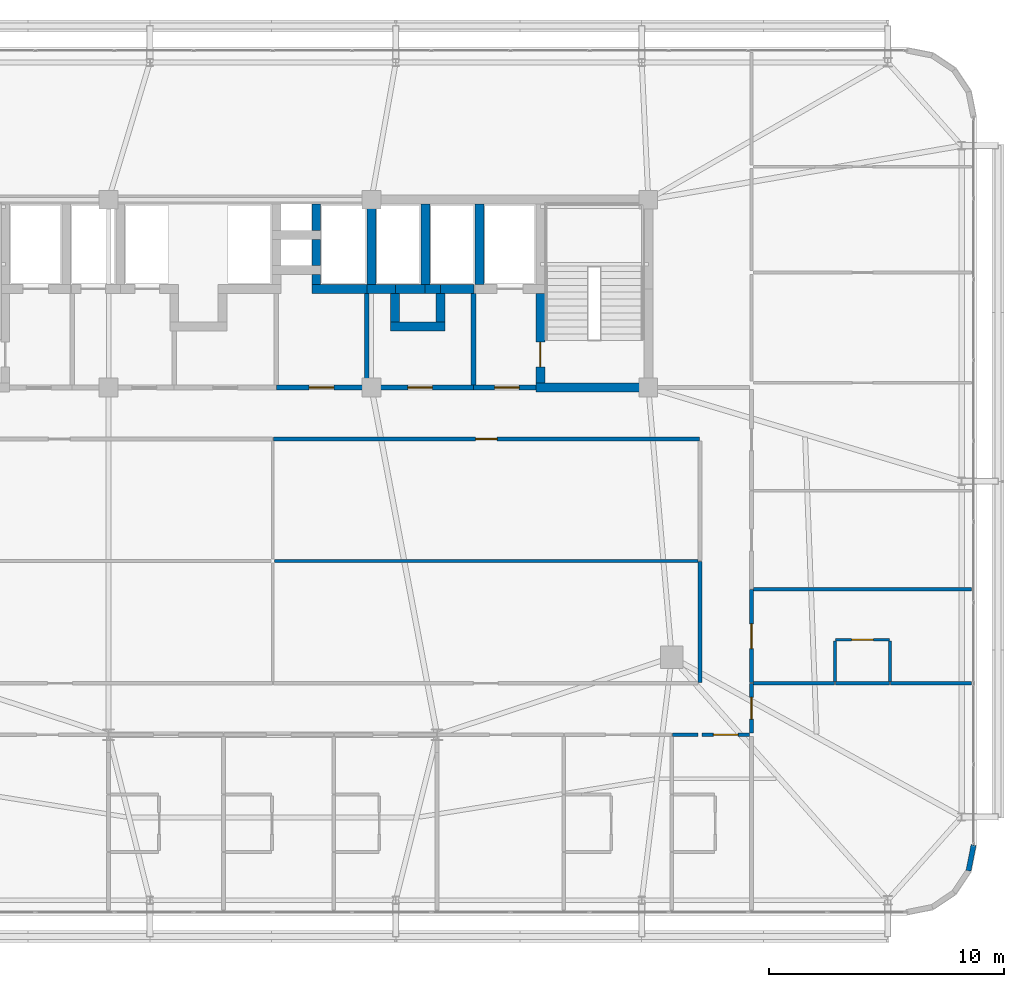
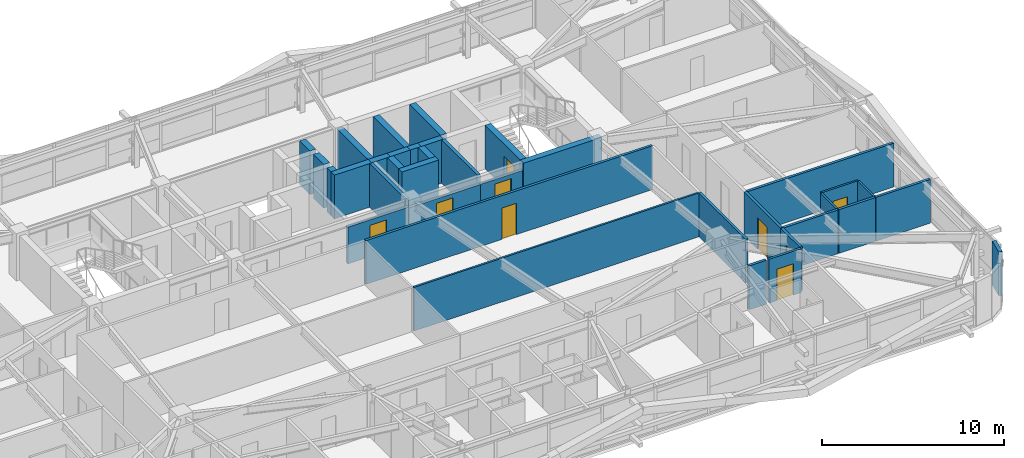
# One storey, part 55 of 59: 36 walls, 9 doors, 9 openings.
"""IFC4 building model written with IfcOpenShell, lengths in metres."""

import ifcopenshell
import ifcopenshell.guid

model = None  # the IFC model being written
_history = None  # IfcOwnerHistory: only IFC2X3 demands one
_inside = {}  # id of a spatial element -> (the spatial element, [elements in it])
_under = {}  # id of a project, library or spatial element -> (it, [spatial elements below it])
_declared = {}  # id of a project -> (the project, [libraries it declares])
_typed = {}  # id of a type object -> (the type object, [elements of that type])
_made_of = {}  # id of a material, layer set ... -> (it, [elements and type objects made of it])


def new_model(schema):
    """Start an empty IFC model of exactly this schema.

    Asked for "IFC4X3", IfcOpenShell would pick the latest addendum, in which some entities
    have other attributes; the version numbers below select the first issue.
    IFC2X3 requires an IfcOwnerHistory on every rooted entity: one is made here for all.
    """
    global model, _history
    if schema == "IFC4X3":
        model = ifcopenshell.file(schema_version=(4, 3, 0, 0))
    else:
        model = ifcopenshell.file(schema=schema)
    _inside.clear()
    _under.clear()
    _declared.clear()
    _typed.clear()
    _made_of.clear()
    _history = None
    if model.schema == "IFC2X3":
        org = make("IfcOrganization", Name="unknown")
        user = make(
            "IfcPersonAndOrganization",
            ThePerson=make("IfcPerson", FamilyName="unknown"),
            TheOrganization=org,
        )
        app = make(
            "IfcApplication",
            ApplicationDeveloper=org,
            Version="unknown",
            ApplicationFullName="unknown",
            ApplicationIdentifier="unknown",
        )
        _history = make(
            "IfcOwnerHistory",
            OwningUser=user,
            OwningApplication=app,
            ChangeAction="ADDED",
            CreationDate=0,
        )
    return model


def make(cls, **values):
    """One entity of the class cls with the attributes given. An attribute that is None is left unset."""
    return model.create_entity(
        cls, **{name: value for name, value in values.items() if value is not None}
    )


def rooted(cls, **values):
    """An entity with a GlobalId (a new one), such as an element, a storey or a relation."""
    return make(cls, GlobalId=ifcopenshell.guid.new(), OwnerHistory=_history, **values)


def si_unit(unit_type, name, prefix=None):
    """IfcSIUnit, for example si_unit("LENGTHUNIT", "METRE", prefix="MILLI")."""
    return make("IfcSIUnit", UnitType=unit_type, Prefix=prefix, Name=name)


def assignment(units):
    """IfcUnitAssignment: the units of a project."""
    return None if units is None else make("IfcUnitAssignment", Units=units)


def point(xyz):
    """IfcCartesianPoint."""
    return None if xyz is None else make("IfcCartesianPoint", Coordinates=xyz)


def direction(xyz):
    """IfcDirection."""
    return None if xyz is None else make("IfcDirection", DirectionRatios=xyz)


def frame(location, z_axis=None, x_axis=None):
    """IfcAxis2Placement3D, a coordinate frame: its origin and axes. An axis left out is left unset."""
    return make(
        "IfcAxis2Placement3D",
        Location=point(location),
        Axis=direction(z_axis),
        RefDirection=direction(x_axis),
    )


def frame_2d(location, x_axis=None):
    """IfcAxis2Placement2D, a coordinate frame in the plane: its origin and x axis."""
    return make(
        "IfcAxis2Placement2D", Location=point(location), RefDirection=direction(x_axis)
    )


def origin():
    """The frame at (0, 0, 0) with its axes left unset."""
    return frame((0.0, 0.0, 0.0))


def place(relative_to, where):
    """IfcLocalPlacement: puts the frame where relative to a parent placement (None: the world)."""
    return make(
        "IfcLocalPlacement", PlacementRelTo=relative_to, RelativePlacement=where
    )


def context(
    kind, dimensions, precision=None, world=None, true_north=None, identifier=None
):
    """IfcGeometricRepresentationContext, for example the 3D "Model" context."""
    return make(
        "IfcGeometricRepresentationContext",
        ContextIdentifier=identifier,
        ContextType=kind,
        CoordinateSpaceDimension=dimensions,
        Precision=precision,
        WorldCoordinateSystem=world,
        TrueNorth=true_north,
    )


def subcontext(parent, identifier, kind, view, scale=None):
    """IfcGeometricRepresentationSubContext, for example "Body" below "Model"."""
    return make(
        "IfcGeometricRepresentationSubContext",
        ContextIdentifier=identifier,
        ContextType=kind,
        ParentContext=parent,
        TargetScale=scale,
        TargetView=view,
    )


def project(units=None, contexts=None):
    """IfcProject with its units and contexts."""
    return rooted(
        "IfcProject",
        Name="project",
        RepresentationContexts=contexts,
        UnitsInContext=assignment(units),
    )


def spatial(cls, under=None, at=None, **own):
    """A site, building, storey or space (cls), placed at a placement, below another one or the project."""
    s = rooted(cls, ObjectPlacement=at, **own)
    if under is not None:
        _under.setdefault(under.id(), (under, []))[1].append(s)
    return s


def profile(cls, at=None, kind="AREA", **sizes):
    """A parametric profile (cls). Its sizes go by their IFC names, for example OverallWidth=200.0."""
    return make(cls, ProfileType=kind, Position=at, **sizes)


def rectangle(**sizes):
    """IfcRectangleProfileDef."""
    return profile("IfcRectangleProfileDef", **sizes)


def extrude(swept, where, along, depth):
    """IfcExtrudedAreaSolid: the profile swept, set in the frame where, extruded along a direction by depth."""
    return make(
        "IfcExtrudedAreaSolid",
        SweptArea=swept,
        Position=where,
        ExtrudedDirection=direction(along),
        Depth=depth,
    )


def shape(context_of_items, identifier, shape_type, items):
    """IfcShapeRepresentation: the items that make up one representation, for example the "Body"."""
    return make(
        "IfcShapeRepresentation",
        ContextOfItems=context_of_items,
        RepresentationIdentifier=identifier,
        RepresentationType=shape_type,
        Items=items,
    )


def source(mapping_origin, context_of_items, identifier, shape_type, items):
    """IfcRepresentationMap: a shape defined once, which mapped items show again and again."""
    return make(
        "IfcRepresentationMap",
        MappingOrigin=mapping_origin,
        MappedRepresentation=shape(context_of_items, identifier, shape_type, items),
    )


def transform(
    local_origin,
    x_axis=None,
    y_axis=None,
    z_axis=None,
    scale=None,
    scale2=None,
    scale3=None,
    uniform=True,
):
    """IfcCartesianTransformationOperator3D, or its non-uniform kind. x_axis, y_axis, z_axis: its Axis1, 2, 3."""
    if uniform:
        return make(
            "IfcCartesianTransformationOperator3D",
            Axis1=direction(x_axis),
            Axis2=direction(y_axis),
            LocalOrigin=point(local_origin),
            Scale=scale,
            Axis3=direction(z_axis),
        )
    return make(
        "IfcCartesianTransformationOperator3DnonUniform",
        Axis1=direction(x_axis),
        Axis2=direction(y_axis),
        LocalOrigin=point(local_origin),
        Scale=scale,
        Axis3=direction(z_axis),
        Scale2=scale2,
        Scale3=scale3,
    )


def mapped(mapping_source, mapping_target):
    """IfcMappedItem: shows the shape of a source again, moved by a transform."""
    return make(
        "IfcMappedItem", MappingSource=mapping_source, MappingTarget=mapping_target
    )


def material(Name=None, Category=None):
    """IfcMaterial."""
    return make("IfcMaterial", Name=Name, Category=Category)


def layer(
    of_material, thickness, ventilated=None, Name=None, Category=None, Priority=None
):
    """IfcMaterialLayer: one layer of a wall or slab, of a material (None: an air gap)."""
    return make(
        "IfcMaterialLayer",
        Material=of_material,
        LayerThickness=thickness,
        IsVentilated=ventilated,
        Name=Name,
        Category=Category,
        Priority=Priority,
    )


def layer_set(layers, Name=None):
    """IfcMaterialLayerSet."""
    return make("IfcMaterialLayerSet", MaterialLayers=layers, LayerSetName=Name)


def made_of(thing, what):
    """Note that an element or type object is made of a material, layer set ...; save() writes the relation."""
    if what is not None:
        _made_of.setdefault(what.id(), (what, []))[1].append(thing)
    return thing


def type_object(cls, material=None, **own):
    """A type object (cls), such as IfcWallType, which elements share."""
    return made_of(rooted(cls, **own), material)


def element(
    cls,
    number,
    at=None,
    inside=None,
    cuts=None,
    type_object=None,
    material=None,
    context=None,
    identifier="Body",
    shape_type=None,
    held_by="IfcProductDefinitionShape",
    body=None,
    shapes=None,
    **own,
):
    """One element of the class cls, such as IfcWall. Its Tag is "e" and its number.

    at: its placement. inside: the storey or other place that contains it. cuts: it is an
    opening in that element (IfcRelVoidsElement). A single representation is given by context,
    identifier, shape_type and body (its items); several are given by shapes. held_by: the class
    of the entity that holds the representations. save() writes the other relations.
    """
    e = rooted(cls, Tag="e%d" % number, ObjectPlacement=at, **own)
    if body is not None:
        shapes = [shape(context, identifier, shape_type, body)]
    if shapes is not None:
        e.Representation = make(held_by, Representations=shapes)
    if inside is not None:
        _inside.setdefault(inside.id(), (inside, []))[1].append(e)
    if cuts is not None:
        rooted(
            "IfcRelVoidsElement", RelatingBuildingElement=cuts, RelatedOpeningElement=e
        )
    if type_object is not None:
        _typed.setdefault(type_object.id(), (type_object, []))[1].append(e)
    return made_of(e, material)


def fill(opening, filler):
    """IfcRelFillsElement: the door or window that sits in an opening."""
    return rooted(
        "IfcRelFillsElement",
        RelatingOpeningElement=opening,
        RelatedBuildingElement=filler,
    )


def aggregate(whole, parts):
    """IfcRelAggregates: a whole, such as a stair, and the parts it consists of."""
    return rooted("IfcRelAggregates", RelatingObject=whole, RelatedObjects=parts)


def save(model, path):
    """Write the relations noted so far, then the file.

    IfcRelAggregates (storeys below a building ...), IfcRelContainedInSpatialStructure (elements
    in a storey), IfcRelDefinesByType, IfcRelAssociatesMaterial and IfcRelDeclares: one each for
    every whole, place, type object, material and project.
    """
    for whole, parts in _under.values():
        aggregate(whole, parts)
    for where, things in _inside.values():
        rooted(
            "IfcRelContainedInSpatialStructure",
            RelatedElements=things,
            RelatingStructure=where,
        )
    for kind, things in _typed.values():
        rooted("IfcRelDefinesByType", RelatedObjects=things, RelatingType=kind)
    for what, things in _made_of.values():
        rooted("IfcRelAssociatesMaterial", RelatedObjects=things, RelatingMaterial=what)
    for by, libraries in _declared.values():
        rooted("IfcRelDeclares", RelatingContext=by, RelatedDefinitions=libraries)
    model.write(path)


model = new_model("IFC4")

# Units and contexts
model_context = context("Model", 3, precision=1e-05, world=origin(), true_north=direction((0.0, 1.0)))
body_context = subcontext(model_context, "Body", "Model", "MODEL_VIEW")
ifc_project = project(units=[si_unit("LENGTHUNIT", "METRE"), si_unit("AREAUNIT", "SQUARE_METRE"), si_unit("VOLUMEUNIT", "CUBIC_METRE"), si_unit("PLANEANGLEUNIT", "RADIAN"), si_unit("MASSUNIT", "GRAM", prefix="KILO")], contexts=[model_context])

# Site, building, storey
site_placement = place(None, origin())
site = spatial("IfcSite", under=ifc_project, at=site_placement, CompositionType="ELEMENT")
building_placement = place(site_placement, origin())
building = spatial("IfcBuilding", under=site, at=building_placement, Name="Taldren Reach Tower", CompositionType="ELEMENT")
storey_placement = place(building_placement, frame((0.0, 0.0, 23.10009765625)))
storey = spatial("IfcBuildingStorey", under=building, at=storey_placement, Name="L06", CompositionType="ELEMENT", Elevation=23.10009765625)

# Walls
ifc_material_1 = material(Name="Pale Champagne Anodised Aluminium Cladding", Category="aluminium")
ifc_layer_1 = layer(ifc_material_1, 0.04, Name="Pale Champagne Anodised Aluminium Cladding", Category="aluminium")
ifc_material_2 = material(Name="Mineral Wool Acoustic Insulation", Category="insulation")
ifc_layer_2 = layer(ifc_material_2, 0.06, Name="Mineral Wool Acoustic Insulation", Category="insulation")
ifc_material_3 = material(Name="Steel Gr 350 (C350L0)", Category="steel")
ifc_layer_3 = layer(ifc_material_3, 0.12, Name="Steel Gr 350 (C350L0)", Category="steel")
ifc_layer_set_1 = layer_set([ifc_layer_1, ifc_layer_2, ifc_layer_3], Name="Pale Champagne Aluminium Cladding and Steel Gr 350 Stud Framing")
wall_type_1 = type_object("IfcWallType", Name="EW-CRN-220", PredefinedType="SOLIDWALL", material=ifc_layer_set_1)
shared_shape_1 = source(origin(), body_context, "Body", "SweptSolid", [
    extrude(rectangle(XDim=1.115966796875, YDim=0.219970703125, at=frame_2d((0.55810546875, 0.0))), origin(), (0.0, 0.0, 1.0), 2.929931640625),
])
wall_1_placement = place(storey_placement, frame((64.642333984375, 3.405517578125, 0.0), z_axis=(0.0, 0.0, 1.0), x_axis=(0.195148375659, 0.98077373103, 0.0)))
element("IfcWall", 1, at=wall_1_placement, inside=storey, type_object=wall_type_1, Name="Rounded-corner pale-metal facade wall L06-SE4", PredefinedType="SOLIDWALL", context=body_context, shape_type="MappedRepresentation", body=[
    mapped(shared_shape_1, transform((0.0, 0.0, 0.0), scale=1.0)),
])
ifc_material_4 = material(Name="Concrete S80 (80 MPa)", Category="concrete")
ifc_layer_4 = layer(ifc_material_4, 0.3798828125)
ifc_layer_set_2 = layer_set([ifc_layer_4], Name="Concrete S80 (80 MPa)")
wall_type_2 = type_object("IfcWallType", Name="IW-CORE-380", PredefinedType="SHEAR", material=ifc_layer_set_2)
shared_shape_2 = source(origin(), body_context, "Body", "SweptSolid", [
    extrude(rectangle(XDim=3.420166015625, YDim=0.3798828125, at=frame_2d((1.7099609375, 0.0))), origin(), (0.0, 0.0, 1.0), 2.929931640625),
])
for number, where, z_axis, x_axis, name in (
    (2, (43.800048828125, 31.81005859375, 0.0), (0.0, 0.0, 1.0), (0.0, -1.0, 0.0), "Rear Core Shear Wall W-INT-L06-012"),
    (3, (39.199951171875, 28.389892578125, 0.0), (0.0, 0.0, 1.0), (0.0, 1.0, 0.0), "Rear Core Shear Wall W-INT-L06-036"),
    (4, (41.5, 28.389892578125, 0.0), (0.0, 0.0, 1.0), (0.0, 1.0, 0.0), "Rear Core Shear Wall W-INT-L06-039"),
):
    element("IfcWall", number, at=place(storey_placement, frame(where, z_axis=z_axis, x_axis=x_axis)), inside=storey, type_object=wall_type_2, Name=name, PredefinedType="SHEAR", context=body_context, shape_type="MappedRepresentation", body=[
        mapped(shared_shape_2, transform((0.0, 0.0, 0.0), scale=1.0)),
    ])

# Wall, opening, door
shared_shape_3 = source(origin(), body_context, "Body", "SweptSolid", [
    extrude(rectangle(XDim=3.820068359375, YDim=0.3798828125, at=frame_2d((1.91015625, 0.0))), origin(), (0.0, 0.0, 1.0), 2.929931640625),
])
wall_2_placement = place(storey_placement, frame((46.39990234375, 28.010009765625, 0.0), z_axis=(0.0, 0.0, 1.0), x_axis=(0.0, -1.0, 0.0)))
wall_2 = element("IfcWall", 5, at=wall_2_placement, inside=storey, type_object=wall_type_2, Name="Rear Core Shear Wall W-INT-L06-009", PredefinedType="SHEAR", context=body_context, shape_type="MappedRepresentation", body=[
    mapped(shared_shape_3, transform((0.0, 0.0, 0.0), scale=1.0)),
])
shared_shape_4 = source(origin(), body_context, "Body", "SweptSolid", [
    extrude(rectangle(XDim=1.050048828125, YDim=2.10009765625, at=frame_2d((0.52490234375, 1.050048828125))), frame((0.0, 0.199951171875, 0.0), z_axis=(0.0, -1.0, 0.0), x_axis=(1.0, 0.0, 0.0)), (0.0, 0.0, 1.0), 0.39990234375),
])
opening_1_placement = place(wall_2_placement, frame((2.0849609375, 0.0, 0.0)))
opening_1 = element("IfcOpeningElement", 6, at=opening_1_placement, cuts=wall_2, Name="Opening DF-105", PredefinedType="OPENING", context=body_context, shape_type="MappedRepresentation", body=[
    mapped(shared_shape_4, transform((0.0, 0.0, 0.0), scale=1.0)),
])
ifc_material_5 = material(Name="Fire-Rated Care and Stair Exit Door")
door_type_1 = type_object("IfcDoorType", Name="ID-FIRE-105", OperationType="NOTDEFINED", PredefinedType="DOOR", material=ifc_material_5)
shared_shape_5 = source(origin(), body_context, "Body", "SweptSolid", [
    extrude(rectangle(XDim=1.050048828125, YDim=2.10009765625, at=frame_2d((0.52490234375, 1.050048828125))), frame((0.0, 0.02490234375, 0.0), z_axis=(0.0, -1.0, 0.0), x_axis=(1.0, 0.0, 0.0)), (0.0, 0.0, 1.0), 0.050048828125),
])
door_1_placement = place(opening_1_placement, origin())
door_1 = element("IfcDoor", 7, at=door_1_placement, inside=storey, type_object=door_type_1, Name="Fire Exit Stair Door DR-L06-003", OperationType="SINGLE_SWING_RIGHT", OverallHeight=2.10009765625, OverallWidth=1.050048828125, PredefinedType="DOOR", context=body_context, shape_type="MappedRepresentation", body=[
    mapped(shared_shape_5, transform((0.0, 0.0, 0.0), scale=1.0)),
])
fill(opening_1, door_1)

# Walls
shared_shape_6 = source(origin(), body_context, "Body", "SweptSolid", [
    extrude(rectangle(XDim=4.97998046875, YDim=0.3798828125, at=frame_2d((2.489990234375, 0.0))), origin(), (0.0, 0.0, 1.0), 2.929931640625),
])
wall_3_placement = place(storey_placement, frame((46.2099609375, 24.0, 0.0), z_axis=(0.0, 0.0, 1.0), x_axis=(1.0, 0.0, 0.0)))
element("IfcWall", 8, at=wall_3_placement, inside=storey, type_object=wall_type_2, Name="Rear Core Shear Wall W-INT-L06-010", PredefinedType="SHEAR", context=body_context, shape_type="MappedRepresentation", body=[
    mapped(shared_shape_6, transform((0.0, 0.0, 0.0), scale=1.0)),
])
ifc_material_6 = material(Name="Concrete S50 (50 MPa)", Category="concrete")
ifc_layer_5 = layer(ifc_material_6, 0.199951171875)
ifc_layer_set_3 = layer_set([ifc_layer_5], Name="Concrete S50 (50 MPa)")
wall_type_3 = type_object("IfcWallType", Name="IW-CORE-200", PredefinedType="SOLIDWALL", material=ifc_layer_set_3)
shared_shape_7 = source(origin(), body_context, "Body", "SweptSolid", [
    extrude(rectangle(XDim=3.909912109375, YDim=0.199951171875, at=frame_2d((1.955078125, 0.0))), origin(), (0.0, 0.0, 1.0), 2.929931640625),
])
for number, where, z_axis, x_axis, name in (
    (9, (43.550048828125, 28.010009765625, 0.0), (0.0, 0.0, 1.0), (0.0, -1.0, 0.0), "Rear Core Shear Wall W-INT-L06-013"),
    (10, (39.0, 28.010009765625, 0.0), (0.0, 0.0, 1.0), (0.0, -1.0, 0.0), "Rear Core Shear Wall W-INT-L06-044"),
):
    element("IfcWall", number, at=place(storey_placement, frame(where, z_axis=z_axis, x_axis=x_axis)), inside=storey, type_object=wall_type_3, Name=name, PredefinedType="SOLIDWALL", context=body_context, shape_type="MappedRepresentation", body=[
        mapped(shared_shape_7, transform((0.0, 0.0, 0.0), scale=1.0)),
    ])

# Wall, opening, door
shared_shape_8 = source(origin(), body_context, "Body", "SweptSolid", [
    extrude(rectangle(XDim=2.659912109375, YDim=0.199951171875, at=frame_2d((1.330078125, 0.0))), origin(), (0.0, 0.0, 1.0), 2.39697265625),
])
wall_4_placement = place(storey_placement, frame((43.550048828125, 24.0, 0.0), z_axis=(0.0, 0.0, 1.0), x_axis=(1.0, 0.0, 0.0)))
wall_4 = element("IfcWall", 11, at=wall_4_placement, inside=storey, type_object=wall_type_3, Name="Rear Core Shear Wall W-INT-L06-014", PredefinedType="SOLIDWALL", context=body_context, shape_type="MappedRepresentation", body=[
    mapped(shared_shape_8, transform((0.0, 0.0, 0.0), scale=1.0)),
])
shared_shape_9 = source(origin(), body_context, "Body", "SweptSolid", [
    extrude(rectangle(XDim=1.050048828125, YDim=2.10009765625, at=frame_2d((0.52490234375, 1.050048828125))), frame((0.0, 0.10986328125, 0.0), z_axis=(0.0, -1.0, 0.0), x_axis=(1.0, 0.0, 0.0)), (0.0, 0.0, 1.0), 0.219970703125),
])
opening_2_placement = place(wall_4_placement, frame((0.89990234375, 0.0, 0.0)))
opening_2 = element("IfcOpeningElement", 12, at=opening_2_placement, cuts=wall_4, Name="Opening DF-105", PredefinedType="OPENING", context=body_context, shape_type="MappedRepresentation", body=[
    mapped(shared_shape_9, transform((0.0, 0.0, 0.0), scale=1.0)),
])
door_2_placement = place(opening_2_placement, origin())
door_2 = element("IfcDoor", 13, at=door_2_placement, inside=storey, type_object=door_type_1, Name="Interior Door DR-L06-004", OperationType="SINGLE_SWING_LEFT", OverallHeight=2.10009765625, OverallWidth=1.050048828125, PredefinedType="DOOR", context=body_context, shape_type="MappedRepresentation", body=[
    mapped(shared_shape_5, transform((0.0, 0.0, 0.0), scale=1.0)),
])
fill(opening_2, door_2)

# Walls
shared_shape_10 = source(origin(), body_context, "Body", "SweptSolid", [
    extrude(rectangle(XDim=1.1201171875, YDim=0.3798828125, at=frame_2d((0.56005859375, 0.0))), origin(), (0.0, 0.0, 1.0), 2.929931640625),
])
for number, where, z_axis, x_axis, name in (
    (14, (36.85009765625, 30.68994140625, 0.0), (0.0, 0.0, 1.0), (0.0, 1.0, 0.0), "Rear Core Shear Wall W-INT-L06-017"),
    (15, (36.85009765625, 29.18994140625, 0.0), (0.0, 0.0, 1.0), (0.0, 1.0, 0.0), "Rear Core Shear Wall W-INT-L06-019"),
):
    element("IfcWall", number, at=place(storey_placement, frame(where, z_axis=z_axis, x_axis=x_axis)), inside=storey, type_object=wall_type_2, Name=name, PredefinedType="SHEAR", context=body_context, shape_type="MappedRepresentation", body=[
        mapped(shared_shape_10, transform((0.0, 0.0, 0.0), scale=1.0)),
    ])
shared_shape_11 = source(origin(), body_context, "Body", "SweptSolid", [
    extrude(rectangle(XDim=1.219970703125, YDim=0.3798828125, at=frame_2d((0.60986328125, 0.0))), origin(), (0.0, 0.0, 1.0), 2.929931640625),
])
for number, where, z_axis, x_axis, name in (
    (16, (40.199951171875, 28.010009765625, 0.0), (0.0, 0.0, 1.0), (0.0, -1.0, 0.0), "Rear Core Shear Wall W-INT-L06-027"),
    (17, (42.14990234375, 26.7900390625, 0.0), (0.0, 0.0, 1.0), (0.0, 1.0, 0.0), "Rear Core Shear Wall W-INT-L06-028"),
):
    element("IfcWall", number, at=place(storey_placement, frame(where, z_axis=z_axis, x_axis=x_axis)), inside=storey, type_object=wall_type_2, Name=name, PredefinedType="SHEAR", context=body_context, shape_type="MappedRepresentation", body=[
        mapped(shared_shape_11, transform((0.0, 0.0, 0.0), scale=1.0)),
    ])
shared_shape_12 = source(origin(), body_context, "Body", "SweptSolid", [
    extrude(rectangle(XDim=1.320068359375, YDim=0.3798828125, at=frame_2d((0.66015625, 0.0))), origin(), (0.0, 0.0, 1.0), 2.929931640625),
])
wall_5_placement = place(storey_placement, frame((41.52001953125, 28.199951171875, 0.0), z_axis=(0.0, 0.0, 1.0), x_axis=(-1.0, 0.0, 0.0)))
element("IfcWall", 18, at=wall_5_placement, inside=storey, type_object=wall_type_2, Name="Rear Core Shear Wall W-INT-L06-024", PredefinedType="SHEAR", context=body_context, shape_type="MappedRepresentation", body=[
    mapped(shared_shape_12, transform((0.0, 0.0, 0.0), scale=1.0)),
])
shared_shape_13 = source(origin(), body_context, "Body", "SweptSolid", [
    extrude(rectangle(XDim=0.669921875, YDim=0.3798828125, at=frame_2d((0.3349609375, 0.0))), origin(), (0.0, 0.0, 1.0), 2.929931640625),
])
wall_6_placement = place(storey_placement, frame((42.14990234375, 28.199951171875, 0.0), z_axis=(0.0, 0.0, 1.0), x_axis=(-1.0, 0.0, 0.0)))
element("IfcWall", 19, at=wall_6_placement, inside=storey, type_object=wall_type_2, Name="Rear Core Shear Wall W-INT-L06-025", PredefinedType="SHEAR", context=body_context, shape_type="MappedRepresentation", body=[
    mapped(shared_shape_13, transform((0.0, 0.0, 0.0), scale=1.0)),
])
shared_shape_14 = source(origin(), body_context, "Body", "SweptSolid", [
    extrude(rectangle(XDim=2.330078125, YDim=0.3798828125, at=frame_2d((1.1650390625, 0.0))), origin(), (0.0, 0.0, 1.0), 2.929931640625),
])
wall_7_placement = place(storey_placement, frame((40.010009765625, 26.60009765625, 0.0), z_axis=(0.0, 0.0, 1.0), x_axis=(1.0, 0.0, 0.0)))
element("IfcWall", 20, at=wall_7_placement, inside=storey, type_object=wall_type_2, Name="Rear Core Shear Wall W-INT-L06-026", PredefinedType="SHEAR", context=body_context, shape_type="MappedRepresentation", body=[
    mapped(shared_shape_14, transform((0.0, 0.0, 0.0), scale=1.0)),
])
shared_shape_15 = source(origin(), body_context, "Body", "SweptSolid", [
    extrude(rectangle(XDim=0.420166015625, YDim=0.3798828125, at=frame_2d((0.2099609375, 0.0))), origin(), (0.0, 0.0, 1.0), 2.929931640625),
])
wall_8_placement = place(storey_placement, frame((36.85009765625, 28.81005859375, 0.0), z_axis=(0.0, 0.0, 1.0), x_axis=(0.0, -1.0, 0.0)))
element("IfcWall", 21, at=wall_8_placement, inside=storey, type_object=wall_type_2, Name="Rear Core Shear Wall W-INT-L06-038", PredefinedType="SHEAR", context=body_context, shape_type="MappedRepresentation", body=[
    mapped(shared_shape_15, transform((0.0, 0.0, 0.0), scale=1.0)),
])
shared_shape_16 = source(origin(), body_context, "Body", "SweptSolid", [
    extrude(rectangle(XDim=1.440185546875, YDim=0.3798828125, at=frame_2d((0.72021484375, 0.0))), origin(), (0.0, 0.0, 1.0), 2.929931640625),
])
wall_9_placement = place(storey_placement, frame((42.1298828125, 28.199951171875, 0.0), z_axis=(0.0, 0.0, 1.0), x_axis=(1.0, 0.0, 0.0)))
element("IfcWall", 22, at=wall_9_placement, inside=storey, type_object=wall_type_2, Name="Rear Core Shear Wall W-INT-L06-041", PredefinedType="SHEAR", context=body_context, shape_type="MappedRepresentation", body=[
    mapped(shared_shape_16, transform((0.0, 0.0, 0.0), scale=1.0)),
])

# Wall, opening, door
ifc_material_7 = material(Name="Fire-Rated Acoustic Plasterboard Stud Wall", Category="gypsum")
ifc_layer_6 = layer(ifc_material_7, 0.159912109375)
ifc_layer_set_4 = layer_set([ifc_layer_6], Name="Fire-Rated Acoustic Plasterboard Stud Wall")
wall_type_4 = type_object("IfcWallType", Name="IW-FIRE-160", PredefinedType="PARTITIONING", material=ifc_layer_set_4)
shared_shape_17 = source(origin(), body_context, "Body", "SweptSolid", [
    extrude(rectangle(XDim=2.0400390625, YDim=0.159912109375, at=frame_2d((1.02001953125, 0.0))), origin(), (0.0, 0.0, 1.0), 2.929931640625),
])
wall_10_placement = place(storey_placement, frame((55.320068359375, 9.199951171875, 0.0), z_axis=(0.0, 0.0, 1.0), x_axis=(-1.0, 0.0, 0.0)))
wall_10 = element("IfcWall", 23, at=wall_10_placement, inside=storey, type_object=wall_type_4, Name="Interior Partition Wall W-INT-L06-054", PredefinedType="PARTITIONING", context=body_context, shape_type="MappedRepresentation", body=[
    mapped(shared_shape_17, transform((0.0, 0.0, 0.0), scale=1.0)),
])
shared_shape_18 = source(origin(), body_context, "Body", "SweptSolid", [
    extrude(rectangle(XDim=1.050048828125, YDim=2.10009765625, at=frame_2d((0.52490234375, 1.050048828125))), frame((0.0, 0.08984375, 0.0), z_axis=(0.0, -1.0, 0.0), x_axis=(1.0, 0.0, 0.0)), (0.0, 0.0, 1.0), 0.179931640625),
])
opening_3_placement = place(wall_10_placement, frame((0.4951171875, 0.0, 0.0)))
opening_3 = element("IfcOpeningElement", 24, at=opening_3_placement, cuts=wall_10, Name="Opening DF-105", PredefinedType="OPENING", context=body_context, shape_type="MappedRepresentation", body=[
    mapped(shared_shape_18, transform((0.0, 0.0, 0.0), scale=1.0)),
])
door_3_placement = place(opening_3_placement, origin())
door_3 = element("IfcDoor", 25, at=door_3_placement, inside=storey, type_object=door_type_1, Name="Interior Door DR-L06-012", OperationType="SINGLE_SWING_LEFT", OverallHeight=2.10009765625, OverallWidth=1.050048828125, PredefinedType="DOOR", context=body_context, shape_type="MappedRepresentation", body=[
    mapped(shared_shape_5, transform((0.0, 0.0, 0.0), scale=1.0)),
])
fill(opening_3, door_3)

# Walls
shared_shape_19 = source(origin(), body_context, "Body", "SweptSolid", [
    extrude(rectangle(XDim=2.360107421875, YDim=0.3798828125, at=frame_2d((1.18017578125, 0.0))), origin(), (0.0, 0.0, 1.0), 2.929931640625),
])
wall_11_placement = place(storey_placement, frame((36.659912109375, 28.199951171875, 0.0), z_axis=(0.0, 0.0, 1.0), x_axis=(1.0, 0.0, 0.0)))
element("IfcWall", 26, at=wall_11_placement, inside=storey, type_object=wall_type_2, Name="Rear Core Shear Wall W-INT-L06-037", PredefinedType="SHEAR", context=body_context, shape_type="MappedRepresentation", body=[
    mapped(shared_shape_19, transform((0.0, 0.0, 0.0), scale=1.0)),
])
shared_shape_20 = source(origin(), body_context, "Body", "SweptSolid", [
    extrude(rectangle(XDim=1.2099609375, YDim=0.3798828125, at=frame_2d((0.60498046875, 0.0))), origin(), (0.0, 0.0, 1.0), 2.929931640625),
])
wall_12_placement = place(storey_placement, frame((39.010009765625, 28.199951171875, 0.0), z_axis=(0.0, 0.0, 1.0), x_axis=(1.0, 0.0, 0.0)))
element("IfcWall", 27, at=wall_12_placement, inside=storey, type_object=wall_type_2, Name="Rear Core Shear Wall W-INT-L06-040", PredefinedType="SHEAR", context=body_context, shape_type="MappedRepresentation", body=[
    mapped(shared_shape_20, transform((0.0, 0.0, 0.0), scale=1.0)),
])

# Wall, opening, door
shared_shape_21 = source(origin(), body_context, "Body", "SweptSolid", [
    extrude(rectangle(XDim=3.85009765625, YDim=0.199951171875, at=frame_2d((1.925048828125, 0.0))), origin(), (0.0, 0.0, 1.0), 2.469970703125),
])
wall_13_placement = place(storey_placement, frame((39.0, 24.0, 0.0), z_axis=(0.0, 0.0, 1.0), x_axis=(-1.0, 0.0, 0.0)))
wall_13 = element("IfcWall", 28, at=wall_13_placement, inside=storey, type_object=wall_type_3, Name="Rear Core Shear Wall W-INT-L06-045", PredefinedType="SOLIDWALL", context=body_context, shape_type="MappedRepresentation", body=[
    mapped(shared_shape_21, transform((0.0, 0.0, 0.0), scale=1.0)),
])
opening_4_placement = place(wall_13_placement, frame((1.39990234375, 0.0, 0.0)))
opening_4 = element("IfcOpeningElement", 29, at=opening_4_placement, cuts=wall_13, Name="Opening DF-105", PredefinedType="OPENING", context=body_context, shape_type="MappedRepresentation", body=[
    mapped(shared_shape_9, transform((0.0, 0.0, 0.0), scale=1.0)),
])
door_4_placement = place(opening_4_placement, frame((1.050048828125, 0.0, 0.0), z_axis=(0.0, 0.0, 1.0), x_axis=(-1.0, 0.0, 0.0)))
door_4 = element("IfcDoor", 30, at=door_4_placement, inside=storey, type_object=door_type_1, Name="Interior Door DR-L06-007", OperationType="SINGLE_SWING_LEFT", OverallHeight=2.10009765625, OverallWidth=1.050048828125, PredefinedType="DOOR", context=body_context, shape_type="MappedRepresentation", body=[
    mapped(shared_shape_5, transform((0.0, 0.0, 0.0), scale=1.0)),
])
fill(opening_4, door_4)

shared_shape_22 = source(origin(), body_context, "Body", "SweptSolid", [
    extrude(rectangle(XDim=4.550048828125, YDim=0.199951171875, at=frame_2d((2.27490234375, 0.0))), origin(), (0.0, 0.0, 1.0), 2.39697265625),
])
wall_14_placement = place(storey_placement, frame((43.550048828125, 24.0, 0.0), z_axis=(0.0, 0.0, 1.0), x_axis=(-1.0, 0.0, 0.0)))
wall_14 = element("IfcWall", 31, at=wall_14_placement, inside=storey, type_object=wall_type_3, Name="Rear Core Shear Wall W-INT-L06-046", PredefinedType="SOLIDWALL", context=body_context, shape_type="MappedRepresentation", body=[
    mapped(shared_shape_22, transform((0.0, 0.0, 0.0), scale=1.0)),
])
opening_5_placement = place(wall_14_placement, frame((1.75, 0.0, 0.0)))
opening_5 = element("IfcOpeningElement", 32, at=opening_5_placement, cuts=wall_14, Name="Opening DF-105", PredefinedType="OPENING", context=body_context, shape_type="MappedRepresentation", body=[
    mapped(shared_shape_9, transform((0.0, 0.0, 0.0), scale=1.0)),
])
door_5_placement = place(opening_5_placement, frame((1.050048828125, 0.0, 0.0), z_axis=(0.0, 0.0, 1.0), x_axis=(-1.0, 0.0, 0.0)))
door_5 = element("IfcDoor", 33, at=door_5_placement, inside=storey, type_object=door_type_1, Name="Interior Door DR-L06-008", OperationType="SINGLE_SWING_RIGHT", OverallHeight=2.10009765625, OverallWidth=1.050048828125, PredefinedType="DOOR", context=body_context, shape_type="MappedRepresentation", body=[
    mapped(shared_shape_5, transform((0.0, 0.0, 0.0), scale=1.0)),
])
fill(opening_5, door_5)

# Wall
shared_shape_23 = source(origin(), body_context, "Body", "SweptSolid", [
    extrude(rectangle(XDim=5.15966796875, YDim=0.159912109375, at=frame_2d((2.579833984375, 0.0))), origin(), (0.0, 0.0, 1.0), 2.929931640625),
])
wall_15_placement = place(storey_placement, frame((53.199951171875, 11.420166015625, 0.0), z_axis=(0.0, 0.0, 1.0), x_axis=(0.0, 1.0, 0.0)))
element("IfcWall", 34, at=wall_15_placement, inside=storey, type_object=wall_type_4, Name="Interior Partition Wall W-INT-L06-050", PredefinedType="PARTITIONING", context=body_context, shape_type="MappedRepresentation", body=[
    mapped(shared_shape_23, transform((0.0, 0.0, 0.0), scale=1.0)),
])

# Wall, opening, door
shared_shape_24 = source(origin(), body_context, "Body", "SweptSolid", [
    extrude(rectangle(XDim=18.159423828125, YDim=0.159912109375, at=frame_2d((9.07958984375, 0.0))), origin(), (0.0, 0.0, 1.0), 2.929931640625),
])
wall_16_placement = place(storey_placement, frame((53.1796875, 21.800048828125, 0.0), z_axis=(0.0, 0.0, 1.0), x_axis=(-1.0, 0.0, 0.0)))
wall_16 = element("IfcWall", 35, at=wall_16_placement, inside=storey, type_object=wall_type_4, Name="Interior Partition Wall W-INT-L06-051", PredefinedType="PARTITIONING", context=body_context, shape_type="MappedRepresentation", body=[
    mapped(shared_shape_24, transform((0.0, 0.0, 0.0), scale=1.0)),
])
shared_shape_25 = source(origin(), body_context, "Body", "SweptSolid", [
    extrude(rectangle(XDim=0.919921875, YDim=2.10009765625, at=frame_2d((0.4599609375, 1.050048828125))), frame((0.0, 0.08984375, 0.0), z_axis=(0.0, -1.0, 0.0), x_axis=(1.0, 0.0, 0.0)), (0.0, 0.0, 1.0), 0.179931640625),
])
opening_6_placement = place(wall_16_placement, frame((8.619873046875, 0.0, 0.0)))
opening_6 = element("IfcOpeningElement", 36, at=opening_6_placement, cuts=wall_16, Name="Opening DI-092", PredefinedType="OPENING", context=body_context, shape_type="MappedRepresentation", body=[
    mapped(shared_shape_25, transform((0.0, 0.0, 0.0), scale=1.0)),
])
ifc_material_8 = material(Name="Solid-Core Timber Suite Door", Category="wood")
door_type_2 = type_object("IfcDoorType", Name="ID-INT-092", OperationType="NOTDEFINED", PredefinedType="DOOR", material=ifc_material_8)
shared_shape_26 = source(origin(), body_context, "Body", "SweptSolid", [
    extrude(rectangle(XDim=0.919921875, YDim=2.10009765625, at=frame_2d((0.4599609375, 1.050048828125))), frame((0.0, 0.02490234375, 0.0), z_axis=(0.0, -1.0, 0.0), x_axis=(1.0, 0.0, 0.0)), (0.0, 0.0, 1.0), 0.050048828125),
])
door_6_placement = place(opening_6_placement, origin())
door_6 = element("IfcDoor", 37, at=door_6_placement, inside=storey, type_object=door_type_2, Name="Interior Door DR-L06-010", OperationType="SINGLE_SWING_LEFT", OverallHeight=2.10009765625, OverallWidth=0.919921875, PredefinedType="DOOR", context=body_context, shape_type="MappedRepresentation", body=[
    mapped(shared_shape_26, transform((0.0, 0.0, 0.0), scale=1.0)),
])
fill(opening_6, door_6)

shared_shape_27 = source(origin(), body_context, "Body", "SweptSolid", [
    extrude(rectangle(XDim=2.099853515625, YDim=0.159912109375, at=frame_2d((1.0498046875, 0.0))), origin(), (0.0, 0.0, 1.0), 2.929931640625),
])
wall_17_placement = place(storey_placement, frame((55.39990234375, 11.3798828125, 0.0), z_axis=(0.0, 0.0, 1.0), x_axis=(0.0, -1.0, 0.0)))
wall_17 = element("IfcWall", 38, at=wall_17_placement, inside=storey, type_object=wall_type_4, Name="Interior Partition Wall W-INT-L06-059", PredefinedType="PARTITIONING", context=body_context, shape_type="MappedRepresentation", body=[
    mapped(shared_shape_27, transform((0.0, 0.0, 0.0), scale=1.0)),
])
opening_7_placement = place(wall_17_placement, frame((0.58984375, 0.0, 0.0)))
opening_7 = element("IfcOpeningElement", 39, at=opening_7_placement, cuts=wall_17, Name="Opening DI-092", PredefinedType="OPENING", context=body_context, shape_type="MappedRepresentation", body=[
    mapped(shared_shape_25, transform((0.0, 0.0, 0.0), scale=1.0)),
])
door_7_placement = place(opening_7_placement, origin())
door_7 = element("IfcDoor", 40, at=door_7_placement, inside=storey, type_object=door_type_2, Name="Interior Door DR-L06-017", OperationType="SINGLE_SWING_RIGHT", OverallHeight=2.10009765625, OverallWidth=0.919921875, PredefinedType="DOOR", context=body_context, shape_type="MappedRepresentation", body=[
    mapped(shared_shape_26, transform((0.0, 0.0, 0.0), scale=1.0)),
])
fill(opening_7, door_7)

shared_shape_28 = source(origin(), body_context, "Body", "SweptSolid", [
    extrude(rectangle(XDim=3.959228515625, YDim=0.159912109375, at=frame_2d((1.9794921875, 0.0))), origin(), (0.0, 0.0, 1.0), 2.929931640625),
])
wall_18_placement = place(storey_placement, frame((55.39990234375, 15.379638671875, 0.0), z_axis=(0.0, 0.0, 1.0), x_axis=(0.0, -1.0, 0.0)))
wall_18 = element("IfcWall", 41, at=wall_18_placement, inside=storey, type_object=wall_type_4, Name="Interior Partition Wall W-INT-L06-060", PredefinedType="PARTITIONING", context=body_context, shape_type="MappedRepresentation", body=[
    mapped(shared_shape_28, transform((0.0, 0.0, 0.0), scale=1.0)),
])
opening_8_placement = place(wall_18_placement, frame((1.45458984375, 0.0, 0.0)))
opening_8 = element("IfcOpeningElement", 42, at=opening_8_placement, cuts=wall_18, Name="Opening DF-105", PredefinedType="OPENING", context=body_context, shape_type="MappedRepresentation", body=[
    mapped(shared_shape_18, transform((0.0, 0.0, 0.0), scale=1.0)),
])
door_8_placement = place(opening_8_placement, origin())
door_8 = element("IfcDoor", 43, at=door_8_placement, inside=storey, type_object=door_type_1, Name="Interior Door DR-L06-018", OperationType="SINGLE_SWING_LEFT", OverallHeight=2.10009765625, OverallWidth=1.050048828125, PredefinedType="DOOR", context=body_context, shape_type="MappedRepresentation", body=[
    mapped(shared_shape_5, transform((0.0, 0.0, 0.0), scale=1.0)),
])
fill(opening_8, door_8)

# Walls
shared_shape_29 = source(origin(), body_context, "Body", "SweptSolid", [
    extrude(rectangle(XDim=1.099853515625, YDim=0.159912109375, at=frame_2d((0.5498046875, 0.0))), origin(), (0.0, 0.0, 1.0), 2.929931640625),
])
wall_19_placement = place(storey_placement, frame((53.1201171875, 9.199951171875, 0.0), z_axis=(0.0, 0.0, 1.0), x_axis=(-1.0, 0.0, 0.0)))
element("IfcWall", 44, at=wall_19_placement, inside=storey, type_object=wall_type_4, Name="Interior Partition Wall W-INT-L06-075", PredefinedType="PARTITIONING", context=body_context, shape_type="MappedRepresentation", body=[
    mapped(shared_shape_29, transform((0.0, 0.0, 0.0), scale=1.0)),
])
ifc_material_9 = material(Name="Insulated Residential Stud Partition", Category="gypsum")
ifc_layer_7 = layer(ifc_material_9, 0.1201171875)
ifc_layer_set_5 = layer_set([ifc_layer_7], Name="Insulated Residential Stud Partition")
wall_type_5 = type_object("IfcWallType", Name="IW-PART-120", PredefinedType="PARTITIONING", material=ifc_layer_set_5)
shared_shape_30 = source(origin(), body_context, "Body", "SweptSolid", [
    extrude(rectangle(XDim=18.0400390625, YDim=0.1201171875, at=frame_2d((9.02001953125, 0.0))), origin(), (0.0, 0.0, 1.0), 2.929931640625),
])
wall_20_placement = place(storey_placement, frame((35.080078125, 16.60009765625, 0.0), z_axis=(0.0, 0.0, 1.0), x_axis=(1.0, 0.0, 0.0)))
element("IfcWall", 45, at=wall_20_placement, inside=storey, type_object=wall_type_5, Name="Interior Partition Wall W-INT-L06-079", PredefinedType="PARTITIONING", context=body_context, shape_type="MappedRepresentation", body=[
    mapped(shared_shape_30, transform((0.0, 0.0, 0.0), scale=1.0)),
])
shared_shape_31 = source(origin(), body_context, "Body", "SweptSolid", [
    extrude(rectangle(XDim=3.44970703125, YDim=0.159912109375, at=frame_2d((1.724853515625, 0.0))), origin(), (0.0, 0.0, 1.0), 2.929931640625),
])
for number, where, z_axis, x_axis, name in (
    (46, (55.47998046875, 11.39990234375, 0.0), (0.0, 0.0, 1.0), (1.0, 0.0, 0.0), "Interior Partition Wall W-INT-L06-139"),
    (47, (61.3203125, 11.39990234375, 0.0), (0.0, 0.0, 1.0), (1.0, 0.0, 0.0), "Interior Partition Wall W-INT-L06-140"),
):
    element("IfcWall", number, at=place(storey_placement, frame(where, z_axis=z_axis, x_axis=x_axis)), inside=storey, type_object=wall_type_4, Name=name, PredefinedType="PARTITIONING", context=body_context, shape_type="MappedRepresentation", body=[
        mapped(shared_shape_31, transform((0.0, 0.0, 0.0), scale=1.0)),
    ])
shared_shape_32 = source(origin(), body_context, "Body", "SweptSolid", [
    extrude(rectangle(XDim=2.3095703125, YDim=0.159912109375, at=frame_2d((1.15478515625, 0.0))), origin(), (0.0, 0.0, 1.0), 2.929931640625),
])
wall_21_placement = place(storey_placement, frame((58.97021484375, 11.39990234375, 0.0), z_axis=(0.0, 0.0, 1.0), x_axis=(1.0, 0.0, 0.0)))
element("IfcWall", 48, at=wall_21_placement, inside=storey, type_object=wall_type_4, Name="Interior Partition Wall W-INT-L06-141", PredefinedType="PARTITIONING", context=body_context, shape_type="MappedRepresentation", body=[
    mapped(shared_shape_32, transform((0.0, 0.0, 0.0), scale=1.0)),
])

# Wall, opening, door
shared_shape_33 = source(origin(), body_context, "Body", "SweptSolid", [
    extrude(rectangle(XDim=2.3095703125, YDim=0.1201171875, at=frame_2d((1.15478515625, 0.0))), origin(), (0.0, 0.0, 1.0), 2.929931640625),
])
wall_22_placement = place(storey_placement, frame((61.27978515625, 13.25, 0.0), z_axis=(0.0, 0.0, 1.0), x_axis=(-1.0, 0.0, 0.0)))
wall_22 = element("IfcWall", 49, at=wall_22_placement, inside=storey, type_object=wall_type_5, Name="Interior Partition Wall W-INT-L06-142", PredefinedType="PARTITIONING", context=body_context, shape_type="MappedRepresentation", body=[
    mapped(shared_shape_33, transform((0.0, 0.0, 0.0), scale=1.0)),
])
shared_shape_34 = source(origin(), body_context, "Body", "SweptSolid", [
    extrude(rectangle(XDim=0.919921875, YDim=2.10009765625, at=frame_2d((0.4599609375, 1.050048828125))), frame((0.0, 0.070068359375, 0.0), z_axis=(0.0, -1.0, 0.0), x_axis=(1.0, 0.0, 0.0)), (0.0, 0.0, 1.0), 0.14013671875),
])
opening_9_placement = place(wall_22_placement, frame((0.69482421875, 0.0, 0.0)))
opening_9 = element("IfcOpeningElement", 50, at=opening_9_placement, cuts=wall_22, Name="Opening DI-092", PredefinedType="OPENING", context=body_context, shape_type="MappedRepresentation", body=[
    mapped(shared_shape_34, transform((0.0, 0.0, 0.0), scale=1.0)),
])
door_9_placement = place(opening_9_placement, origin())
door_9 = element("IfcDoor", 51, at=door_9_placement, inside=storey, type_object=door_type_2, Name="Interior Door DR-L06-039", OperationType="SINGLE_SWING_RIGHT", OverallHeight=2.10009765625, OverallWidth=0.919921875, PredefinedType="DOOR", context=body_context, shape_type="MappedRepresentation", body=[
    mapped(shared_shape_26, transform((0.0, 0.0, 0.0), scale=1.0)),
])
fill(opening_9, door_9)

# Walls
shared_shape_35 = source(origin(), body_context, "Body", "SweptSolid", [
    extrude(rectangle(XDim=1.7099609375, YDim=0.1201171875, at=frame_2d((0.85498046875, 0.0))), origin(), (0.0, 0.0, 1.0), 2.929931640625),
])
for number, where, z_axis, x_axis, name in (
    (52, (58.949951171875, 13.18994140625, 0.0), (0.0, 0.0, 1.0), (0.0, -1.0, 0.0), "Interior Partition Wall W-INT-L06-143"),
    (53, (61.300048828125, 11.47998046875, 0.0), (0.0, 0.0, 1.0), (0.0, 1.0, 0.0), "Interior Partition Wall W-INT-L06-144"),
):
    element("IfcWall", number, at=place(storey_placement, frame(where, z_axis=z_axis, x_axis=x_axis)), inside=storey, type_object=wall_type_5, Name=name, PredefinedType="PARTITIONING", context=body_context, shape_type="MappedRepresentation", body=[
        mapped(shared_shape_35, transform((0.0, 0.0, 0.0), scale=1.0)),
    ])
shared_shape_36 = source(origin(), body_context, "Body", "SweptSolid", [
    extrude(rectangle(XDim=9.2861328125, YDim=0.159912109375, at=frame_2d((4.64306640625, 0.0))), origin(), (0.0, 0.0, 1.0), 2.929931640625),
])
wall_23_placement = place(storey_placement, frame((55.48193359375, 15.39990234375, 0.0), z_axis=(0.0, 0.0, 1.0), x_axis=(1.0, 0.0, 0.0)))
element("IfcWall", 54, at=wall_23_placement, inside=storey, type_object=wall_type_4, Name="Interior Partition Wall W-INT-L06-145", PredefinedType="PARTITIONING", context=body_context, shape_type="MappedRepresentation", body=[
    mapped(shared_shape_36, transform((0.0, 0.0, 0.0), scale=1.0)),
])

save(model, "model.ifc")
